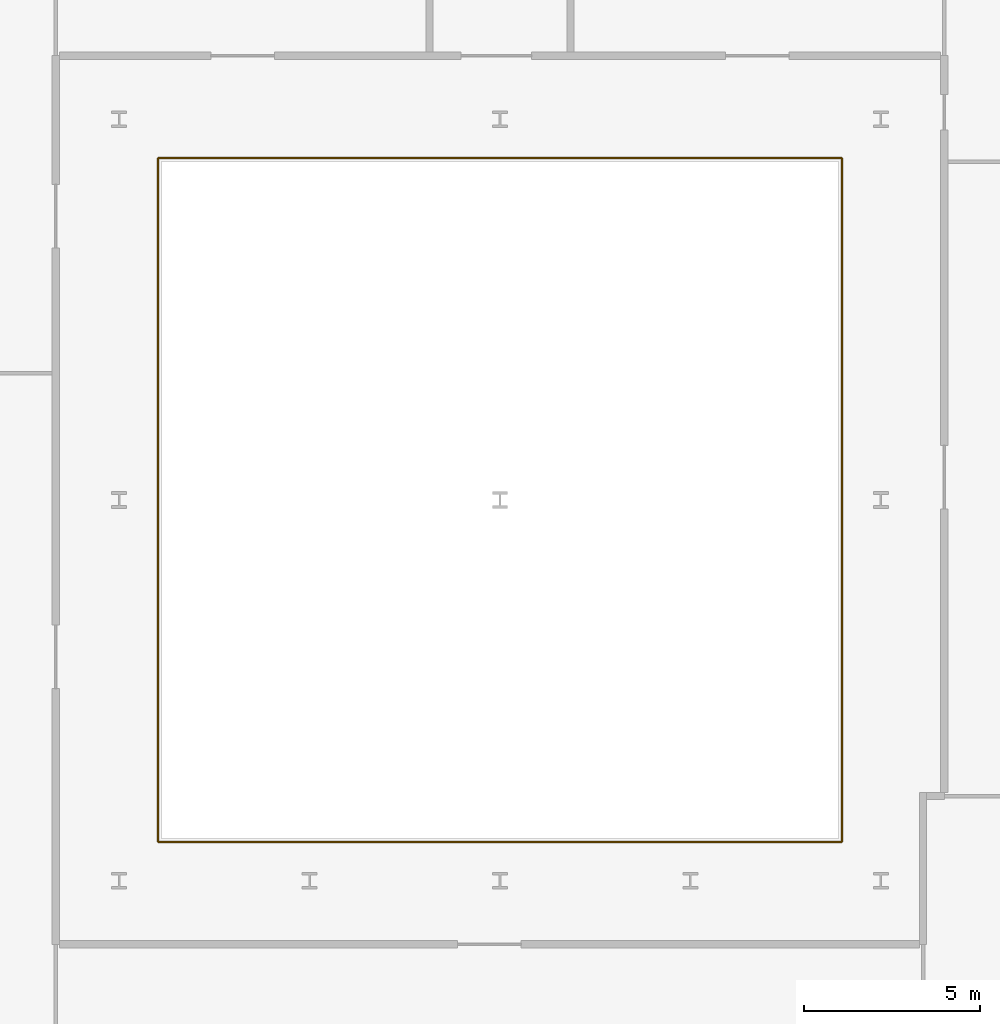
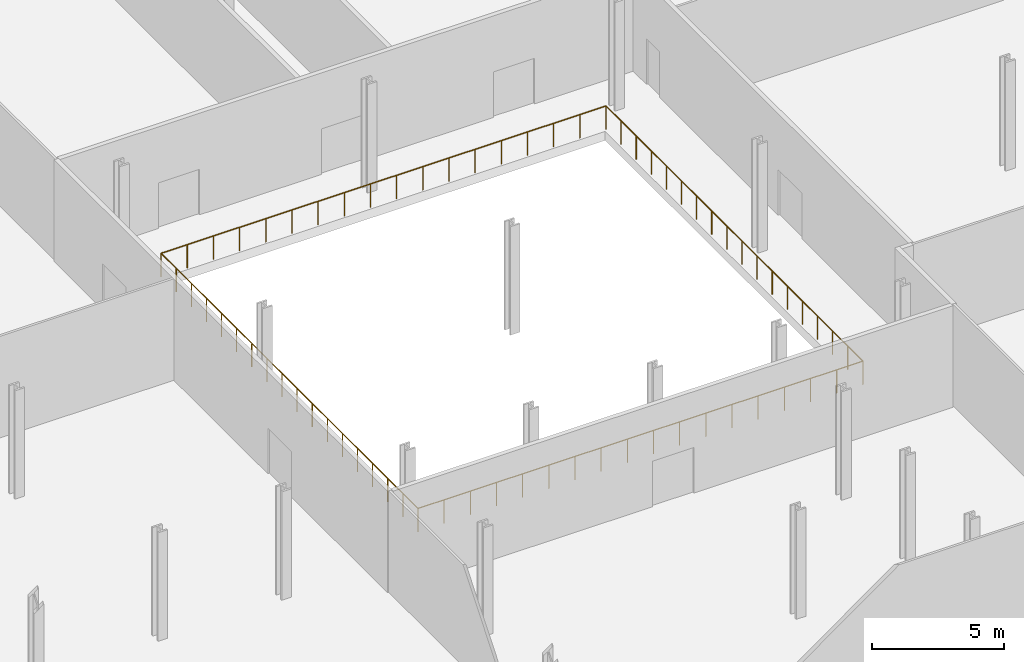
# One storey, part 42 of 47: 1 railing.
"""IFC4 building model written with IfcOpenShell, lengths in metres."""

from ifc_helpers import new_model, si_unit, direction, frame, origin, origin_2d, place, context, subcontext, project, spatial, circle, extrude, material, type_object, element, save


model = new_model("IFC4")

# Units and contexts
model_context = context("Model", 3, precision=1e-05, world=origin(), true_north=direction((0.0, 1.0)))
body_context = subcontext(model_context, "Body", "Model", "MODEL_VIEW")
ifc_project = project(units=[si_unit("LENGTHUNIT", "METRE"), si_unit("AREAUNIT", "SQUARE_METRE"), si_unit("VOLUMEUNIT", "CUBIC_METRE"), si_unit("PLANEANGLEUNIT", "RADIAN"), si_unit("MASSUNIT", "GRAM", prefix="KILO")], contexts=[model_context])

# Site, building, storey
site_placement = place(None, origin())
site = spatial("IfcSite", under=ifc_project, at=site_placement, CompositionType="ELEMENT")
building_placement = place(site_placement, origin())
building = spatial("IfcBuilding", under=site, at=building_placement, Name="Kheshtan School and Residences Tower", CompositionType="ELEMENT")
storey_placement = place(building_placement, frame((0.0, 0.0, 7.5)))
storey = spatial("IfcBuildingStorey", under=building, at=storey_placement, Name="L01", CompositionType="ELEMENT", Elevation=7.5)

# Railing
ifc_material = material(Name="Stainless steel balustrade", Category="steel")
railing_type = type_object("IfcRailingType", Name="Loggia guard 1100", PredefinedType="GUARDRAIL", material=ifc_material)
railing_placement = place(storey_placement, frame((89.699951171875, 46.699951171875, 0.0)))
element("IfcRailing", 1, at=railing_placement, inside=storey, type_object=railing_type, Name="Guard L01 A1", PredefinedType="GUARDRAIL", context=body_context, shape_type="SweptSolid", body=[
    extrude(circle(Radius=0.02392578125, at=origin_2d()), frame((0.0, 0.0, 1.076171875), z_axis=(-1.0, 0.0, 0.0), x_axis=(0.0, -1.0, 0.0)), (0.0, 0.0, 1.0), 19.39990234375),
    extrude(circle(Radius=0.02392578125, at=origin_2d()), frame((-19.39990234375, 0.0, 1.076171875), z_axis=(0.0, 1.0, 0.0), x_axis=(-1.0, 0.0, 0.0)), (0.0, 0.0, 1.0), 19.400146484375),
    extrude(circle(Radius=0.02392578125, at=origin_2d()), frame((-19.39990234375, 19.400146484375, 1.076171875), z_axis=(1.0, 0.0, 0.0), x_axis=(0.0, 1.0, 0.0)), (0.0, 0.0, 1.0), 19.39990234375),
    extrude(circle(Radius=0.02392578125, at=origin_2d()), frame((0.0, 19.400146484375, 1.076171875), z_axis=(0.0, -1.0, 0.0), x_axis=(1.0, 0.0, 0.0)), (0.0, 0.0, 1.0), 19.400146484375),
    extrude(circle(Radius=0.02099609375, at=origin_2d()), origin(), (0.0, 0.0, 1.0), 1.052001953125),
    extrude(circle(Radius=0.02099609375, at=origin_2d()), frame((-1.14111328125, 0.0, 0.0)), (0.0, 0.0, 1.0), 1.052001953125),
    extrude(circle(Radius=0.02099609375, at=origin_2d()), frame((-2.2822265625, 0.0, 0.0)), (0.0, 0.0, 1.0), 1.052001953125),
    extrude(circle(Radius=0.02099609375, at=origin_2d()), frame((-3.423583984375, 0.0, 0.0)), (0.0, 0.0, 1.0), 1.052001953125),
    extrude(circle(Radius=0.02099609375, at=origin_2d()), frame((-4.564697265625, 0.0, 0.0)), (0.0, 0.0, 1.0), 1.052001953125),
    extrude(circle(Radius=0.02099609375, at=origin_2d()), frame((-5.705810546875, 0.0, 0.0)), (0.0, 0.0, 1.0), 1.052001953125),
    extrude(circle(Radius=0.02099609375, at=origin_2d()), frame((-6.846923828125, 0.0, 0.0)), (0.0, 0.0, 1.0), 1.052001953125),
    extrude(circle(Radius=0.02099609375, at=origin_2d()), frame((-7.98828125, 0.0, 0.0)), (0.0, 0.0, 1.0), 1.052001953125),
    extrude(circle(Radius=0.02099609375, at=origin_2d()), frame((-9.12939453125, 0.0, 0.0)), (0.0, 0.0, 1.0), 1.052001953125),
    extrude(circle(Radius=0.02099609375, at=origin_2d()), frame((-10.2705078125, 0.0, 0.0)), (0.0, 0.0, 1.0), 1.052001953125),
    extrude(circle(Radius=0.02099609375, at=origin_2d()), frame((-11.41162109375, 0.0, 0.0)), (0.0, 0.0, 1.0), 1.052001953125),
    extrude(circle(Radius=0.02099609375, at=origin_2d()), frame((-12.552978515625, 0.0, 0.0)), (0.0, 0.0, 1.0), 1.052001953125),
    extrude(circle(Radius=0.02099609375, at=origin_2d()), frame((-13.694091796875, 0.0, 0.0)), (0.0, 0.0, 1.0), 1.052001953125),
    extrude(circle(Radius=0.02099609375, at=origin_2d()), frame((-14.835205078125, 0.0, 0.0)), (0.0, 0.0, 1.0), 1.052001953125),
    extrude(circle(Radius=0.02099609375, at=origin_2d()), frame((-15.976318359375, 0.0, 0.0)), (0.0, 0.0, 1.0), 1.052001953125),
    extrude(circle(Radius=0.02099609375, at=origin_2d()), frame((-17.11767578125, 0.0, 0.0)), (0.0, 0.0, 1.0), 1.052001953125),
    extrude(circle(Radius=0.02099609375, at=origin_2d()), frame((-18.2587890625, 0.0, 0.0)), (0.0, 0.0, 1.0), 1.052001953125),
    extrude(circle(Radius=0.02099609375, at=origin_2d()), frame((-19.39990234375, 0.0, 0.0)), (0.0, 0.0, 1.0), 1.052001953125),
    extrude(circle(Radius=0.02099609375, at=origin_2d()), frame((-19.39990234375, 1.14111328125, 0.0)), (0.0, 0.0, 1.0), 1.052001953125),
    extrude(circle(Radius=0.02099609375, at=origin_2d()), frame((-19.39990234375, 2.282470703125, 0.0)), (0.0, 0.0, 1.0), 1.052001953125),
    extrude(circle(Radius=0.02099609375, at=origin_2d()), frame((-19.39990234375, 3.423583984375, 0.0)), (0.0, 0.0, 1.0), 1.052001953125),
    extrude(circle(Radius=0.02099609375, at=origin_2d()), frame((-19.39990234375, 4.564697265625, 0.0)), (0.0, 0.0, 1.0), 1.052001953125),
    extrude(circle(Radius=0.02099609375, at=origin_2d()), frame((-19.39990234375, 5.705810546875, 0.0)), (0.0, 0.0, 1.0), 1.052001953125),
    extrude(circle(Radius=0.02099609375, at=origin_2d()), frame((-19.39990234375, 6.84716796875, 0.0)), (0.0, 0.0, 1.0), 1.052001953125),
    extrude(circle(Radius=0.02099609375, at=origin_2d()), frame((-19.39990234375, 7.98828125, 0.0)), (0.0, 0.0, 1.0), 1.052001953125),
    extrude(circle(Radius=0.02099609375, at=origin_2d()), frame((-19.39990234375, 9.12939453125, 0.0)), (0.0, 0.0, 1.0), 1.052001953125),
    extrude(circle(Radius=0.02099609375, at=origin_2d()), frame((-19.39990234375, 10.270751953125, 0.0)), (0.0, 0.0, 1.0), 1.052001953125),
    extrude(circle(Radius=0.02099609375, at=origin_2d()), frame((-19.39990234375, 11.411865234375, 0.0)), (0.0, 0.0, 1.0), 1.052001953125),
    extrude(circle(Radius=0.02099609375, at=origin_2d()), frame((-19.39990234375, 12.552978515625, 0.0)), (0.0, 0.0, 1.0), 1.052001953125),
    extrude(circle(Radius=0.02099609375, at=origin_2d()), frame((-19.39990234375, 13.6943359375, 0.0)), (0.0, 0.0, 1.0), 1.052001953125),
    extrude(circle(Radius=0.02099609375, at=origin_2d()), frame((-19.39990234375, 14.83544921875, 0.0)), (0.0, 0.0, 1.0), 1.052001953125),
    extrude(circle(Radius=0.02099609375, at=origin_2d()), frame((-19.39990234375, 15.9765625, 0.0)), (0.0, 0.0, 1.0), 1.052001953125),
    extrude(circle(Radius=0.02099609375, at=origin_2d()), frame((-19.39990234375, 17.11767578125, 0.0)), (0.0, 0.0, 1.0), 1.052001953125),
    extrude(circle(Radius=0.02099609375, at=origin_2d()), frame((-19.39990234375, 18.259033203125, 0.0)), (0.0, 0.0, 1.0), 1.052001953125),
    extrude(circle(Radius=0.02099609375, at=origin_2d()), frame((-19.39990234375, 19.400146484375, 0.0)), (0.0, 0.0, 1.0), 1.052001953125),
    extrude(circle(Radius=0.02099609375, at=origin_2d()), frame((-18.2587890625, 19.400146484375, 0.0)), (0.0, 0.0, 1.0), 1.052001953125),
    extrude(circle(Radius=0.02099609375, at=origin_2d()), frame((-17.11767578125, 19.400146484375, 0.0)), (0.0, 0.0, 1.0), 1.052001953125),
    extrude(circle(Radius=0.02099609375, at=origin_2d()), frame((-15.976318359375, 19.400146484375, 0.0)), (0.0, 0.0, 1.0), 1.052001953125),
    extrude(circle(Radius=0.02099609375, at=origin_2d()), frame((-14.835205078125, 19.400146484375, 0.0)), (0.0, 0.0, 1.0), 1.052001953125),
    extrude(circle(Radius=0.02099609375, at=origin_2d()), frame((-13.694091796875, 19.400146484375, 0.0)), (0.0, 0.0, 1.0), 1.052001953125),
    extrude(circle(Radius=0.02099609375, at=origin_2d()), frame((-12.552978515625, 19.400146484375, 0.0)), (0.0, 0.0, 1.0), 1.052001953125),
    extrude(circle(Radius=0.02099609375, at=origin_2d()), frame((-11.41162109375, 19.400146484375, 0.0)), (0.0, 0.0, 1.0), 1.052001953125),
    extrude(circle(Radius=0.02099609375, at=origin_2d()), frame((-10.2705078125, 19.400146484375, 0.0)), (0.0, 0.0, 1.0), 1.052001953125),
    extrude(circle(Radius=0.02099609375, at=origin_2d()), frame((-9.12939453125, 19.400146484375, 0.0)), (0.0, 0.0, 1.0), 1.052001953125),
    extrude(circle(Radius=0.02099609375, at=origin_2d()), frame((-7.98828125, 19.400146484375, 0.0)), (0.0, 0.0, 1.0), 1.052001953125),
    extrude(circle(Radius=0.02099609375, at=origin_2d()), frame((-6.846923828125, 19.400146484375, 0.0)), (0.0, 0.0, 1.0), 1.052001953125),
    extrude(circle(Radius=0.02099609375, at=origin_2d()), frame((-5.705810546875, 19.400146484375, 0.0)), (0.0, 0.0, 1.0), 1.052001953125),
    extrude(circle(Radius=0.02099609375, at=origin_2d()), frame((-4.564697265625, 19.400146484375, 0.0)), (0.0, 0.0, 1.0), 1.052001953125),
    extrude(circle(Radius=0.02099609375, at=origin_2d()), frame((-3.423583984375, 19.400146484375, 0.0)), (0.0, 0.0, 1.0), 1.052001953125),
    extrude(circle(Radius=0.02099609375, at=origin_2d()), frame((-2.2822265625, 19.400146484375, 0.0)), (0.0, 0.0, 1.0), 1.052001953125),
    extrude(circle(Radius=0.02099609375, at=origin_2d()), frame((-1.14111328125, 19.400146484375, 0.0)), (0.0, 0.0, 1.0), 1.052001953125),
    extrude(circle(Radius=0.02099609375, at=origin_2d()), frame((0.0, 19.400146484375, 0.0)), (0.0, 0.0, 1.0), 1.052001953125),
    extrude(circle(Radius=0.02099609375, at=origin_2d()), frame((0.0, 18.259033203125, 0.0)), (0.0, 0.0, 1.0), 1.052001953125),
    extrude(circle(Radius=0.02099609375, at=origin_2d()), frame((0.0, 17.11767578125, 0.0)), (0.0, 0.0, 1.0), 1.052001953125),
    extrude(circle(Radius=0.02099609375, at=origin_2d()), frame((0.0, 15.9765625, 0.0)), (0.0, 0.0, 1.0), 1.052001953125),
    extrude(circle(Radius=0.02099609375, at=origin_2d()), frame((0.0, 14.83544921875, 0.0)), (0.0, 0.0, 1.0), 1.052001953125),
    extrude(circle(Radius=0.02099609375, at=origin_2d()), frame((0.0, 13.6943359375, 0.0)), (0.0, 0.0, 1.0), 1.052001953125),
    extrude(circle(Radius=0.02099609375, at=origin_2d()), frame((0.0, 12.552978515625, 0.0)), (0.0, 0.0, 1.0), 1.052001953125),
    extrude(circle(Radius=0.02099609375, at=origin_2d()), frame((0.0, 11.411865234375, 0.0)), (0.0, 0.0, 1.0), 1.052001953125),
    extrude(circle(Radius=0.02099609375, at=origin_2d()), frame((0.0, 10.270751953125, 0.0)), (0.0, 0.0, 1.0), 1.052001953125),
    extrude(circle(Radius=0.02099609375, at=origin_2d()), frame((0.0, 9.12939453125, 0.0)), (0.0, 0.0, 1.0), 1.052001953125),
    extrude(circle(Radius=0.02099609375, at=origin_2d()), frame((0.0, 7.98828125, 0.0)), (0.0, 0.0, 1.0), 1.052001953125),
    extrude(circle(Radius=0.02099609375, at=origin_2d()), frame((0.0, 6.84716796875, 0.0)), (0.0, 0.0, 1.0), 1.052001953125),
    extrude(circle(Radius=0.02099609375, at=origin_2d()), frame((0.0, 5.705810546875, 0.0)), (0.0, 0.0, 1.0), 1.052001953125),
    extrude(circle(Radius=0.02099609375, at=origin_2d()), frame((0.0, 4.564697265625, 0.0)), (0.0, 0.0, 1.0), 1.052001953125),
    extrude(circle(Radius=0.02099609375, at=origin_2d()), frame((0.0, 3.423583984375, 0.0)), (0.0, 0.0, 1.0), 1.052001953125),
    extrude(circle(Radius=0.02099609375, at=origin_2d()), frame((0.0, 2.282470703125, 0.0)), (0.0, 0.0, 1.0), 1.052001953125),
    extrude(circle(Radius=0.02099609375, at=origin_2d()), frame((0.0, 1.14111328125, 0.0)), (0.0, 0.0, 1.0), 1.052001953125),
])

save(model, "model.ifc")
